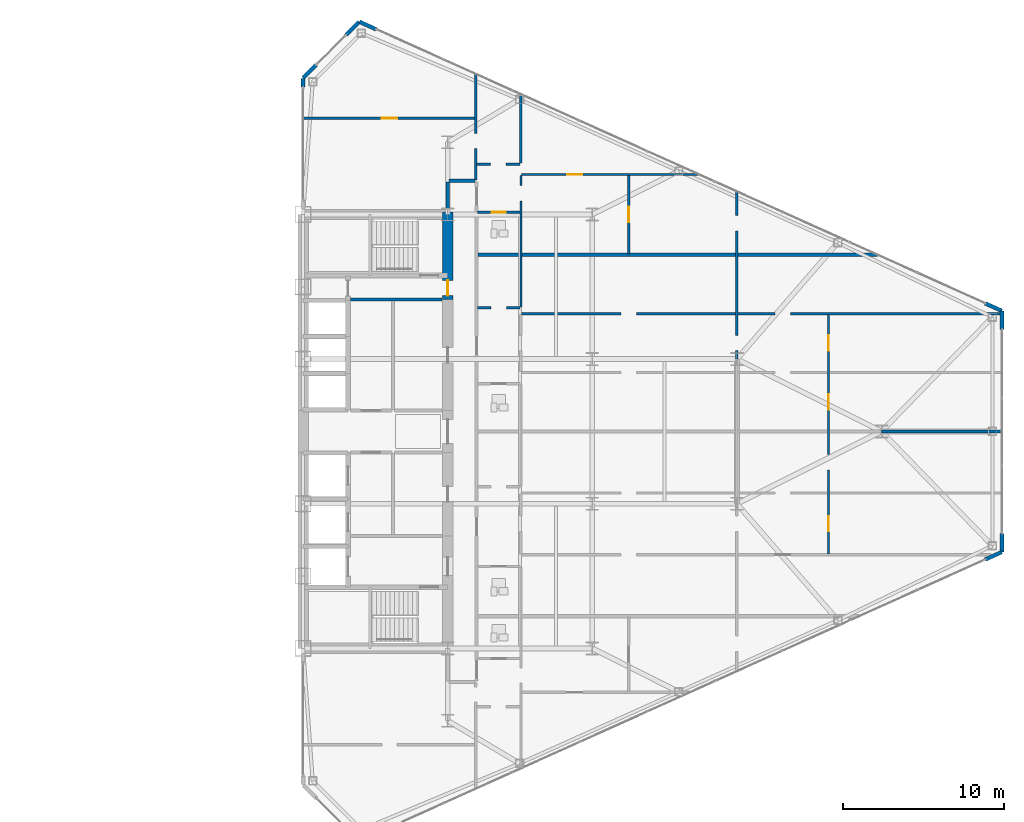
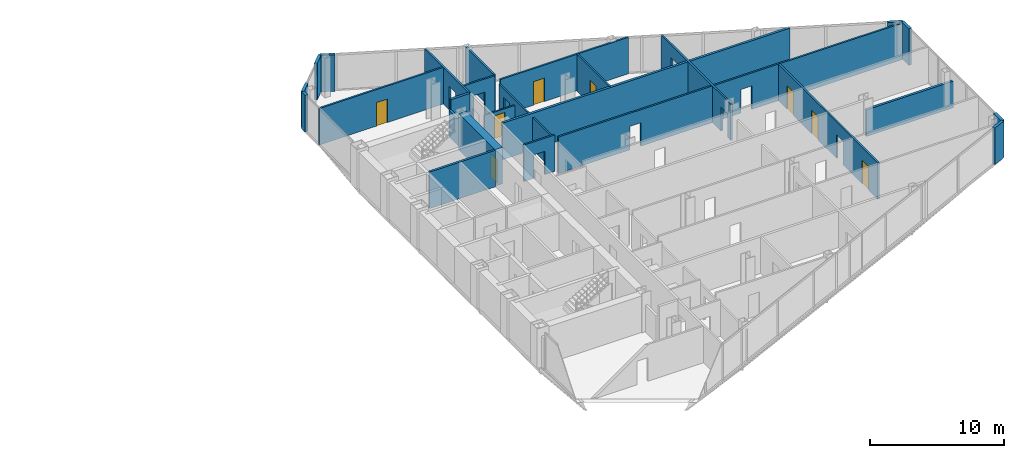
# One storey, part 24 of 27: 26 walls, 8 doors, 17 openings.
"""IFC4 building model written with IfcOpenShell, lengths in metres."""

from ifc_helpers import new_model, si_unit, direction, frame, frame_2d, origin, place, context, subcontext, project, spatial, rectangle, extrude, source, transform, mapped, material, layer, layer_set, type_object, type_shapes, element, fill, save


model = new_model("IFC4")

# Units and contexts
model_context = context("Model", 3, precision=1e-05, world=origin(), true_north=direction((0.0, 1.0)))
body_context = subcontext(model_context, "Body", "Model", "MODEL_VIEW")
ifc_project = project(units=[si_unit("LENGTHUNIT", "METRE"), si_unit("AREAUNIT", "SQUARE_METRE"), si_unit("VOLUMEUNIT", "CUBIC_METRE"), si_unit("PLANEANGLEUNIT", "RADIAN"), si_unit("MASSUNIT", "GRAM", prefix="KILO")], contexts=[model_context])

# Site, building, storey
site_placement = place(None, origin())
site = spatial("IfcSite", under=ifc_project, at=site_placement, CompositionType="ELEMENT")
building_placement = place(site_placement, origin())
building = spatial("IfcBuilding", under=site, at=building_placement, Name="Seokmaru Belvedere", CompositionType="ELEMENT")
storey_placement = place(building_placement, frame((0.0, 0.0, 83.699951171875)))
storey = spatial("IfcBuildingStorey", under=building, at=storey_placement, Name="L22", CompositionType="ELEMENT", Elevation=83.699951171875)

# Wall, openings
ifc_material_1 = material(Name="Fire-Rated Gypsum Shaftwall")
ifc_layer_1 = layer(ifc_material_1, 0.14990234375)
ifc_layer_set_1 = layer_set([ifc_layer_1], Name="Fire-Rated Gypsum Shaftwall")
wall_type_1 = type_object("IfcWallType", Name="Apartment Fire-Acoustic Room Partition 150", PredefinedType="PARTITIONING", material=ifc_layer_set_1)
wall_1_placement = place(storey_placement, frame((41.10009765625, 7.330078125, 0.0), z_axis=(0.0, 0.0, 1.0), x_axis=(1.0, 0.0, 0.0)))
wall_1 = element("IfcWall", 1, at=wall_1_placement, inside=storey, type_object=wall_type_1, Name="L22 Interior Partition 021", PredefinedType="PARTITIONING", context=body_context, shape_type="SweptSolid", body=[
    extrude(rectangle(XDim=29.77490234375, YDim=0.14990234375, at=frame_2d((14.887451171875, 0.0))), origin(), (0.0, 0.0, 1.0), 3.340087890625),
])
opening_1_placement = place(wall_1_placement, frame((6.199951171875, 0.0, 0.0)))
element("IfcOpeningElement", 2, at=opening_1_placement, cuts=wall_1, Name="L22 Cased Opening 052", PredefinedType="OPENING", context=body_context, shape_type="SweptSolid", body=[
    extrude(rectangle(XDim=0.949951171875, YDim=2.14990234375, at=frame_2d((0.47509765625, 1.074951171875))), frame((0.0, 0.0849609375, 0.0), z_axis=(0.0, -1.0, 0.0), x_axis=(1.0, 0.0, 0.0)), (0.0, 0.0, 1.0), 0.169921875),
])
opening_2_placement = place(wall_1_placement, frame((15.77490234375, 0.0, 0.0)))
element("IfcOpeningElement", 3, at=opening_2_placement, cuts=wall_1, Name="L22 Cased Opening 056", PredefinedType="OPENING", context=body_context, shape_type="SweptSolid", body=[
    extrude(rectangle(XDim=0.949951171875, YDim=2.14990234375, at=frame_2d((0.47509765625, 1.074951171875))), frame((0.0, 0.0849609375, 0.0), z_axis=(0.0, -1.0, 0.0), x_axis=(1.0, 0.0, 0.0)), (0.0, 0.0, 1.0), 0.169921875),
])

# Wall, opening
wall_2_placement = place(storey_placement, frame((38.35009765625, 7.699951171875, 0.0), z_axis=(0.0, 0.0, 1.0), x_axis=(1.0, 0.0, 0.0)))
wall_2 = element("IfcWall", 4, at=wall_2_placement, inside=storey, type_object=wall_type_1, Name="L22 Interior Partition 022", PredefinedType="PARTITIONING", context=body_context, shape_type="SweptSolid", body=[
    extrude(rectangle(XDim=2.64990234375, YDim=0.14990234375, at=frame_2d((1.324951171875, 0.0))), origin(), (0.0, 0.0, 1.0), 3.340087890625),
])
opening_3_placement = place(wall_2_placement, frame((0.85009765625, 0.0, 0.0)))
element("IfcOpeningElement", 5, at=opening_3_placement, cuts=wall_2, Name="L22 Cased Opening 048", PredefinedType="OPENING", context=body_context, shape_type="SweptSolid", body=[
    extrude(rectangle(XDim=0.949951171875, YDim=2.14990234375, at=frame_2d((0.47509765625, 1.074951171875))), frame((0.0, 0.0849609375, 0.0), z_axis=(0.0, -1.0, 0.0), x_axis=(1.0, 0.0, 0.0)), (0.0, 0.0, 1.0), 0.169921875),
])

# Wall, opening, door
wall_3_placement = place(storey_placement, frame((41.10009765625, 15.989990234375, 0.0), z_axis=(0.0, 0.0, 1.0), x_axis=(1.0, 0.0, 0.0)))
wall_3 = element("IfcWall", 6, at=wall_3_placement, inside=storey, type_object=wall_type_1, Name="L22 Interior Partition 031", PredefinedType="PARTITIONING", context=body_context, shape_type="SweptSolid", body=[
    extrude(rectangle(XDim=11.07080078125, YDim=0.14990234375, at=frame_2d((5.535400390625, 0.0))), origin(), (0.0, 0.0, 1.0), 3.340087890625),
])
opening_4_placement = place(wall_3_placement, frame((2.83740234375, 0.0, 0.0)))
opening_4 = element("IfcOpeningElement", 7, at=opening_4_placement, cuts=wall_3, Name="Opening D05", PredefinedType="OPENING", context=body_context, shape_type="SweptSolid", body=[
    extrude(rectangle(XDim=0.949951171875, YDim=2.14990234375, at=frame_2d((0.47509765625, 1.074951171875))), frame((0.0, 0.0849609375, 0.0), z_axis=(0.0, -1.0, 0.0), x_axis=(1.0, 0.0, 0.0)), (0.0, 0.0, 1.0), 0.169921875),
])
ifc_material_2 = material(Name="Engineered White Oak Timber", Category="wood")
door_type_1 = type_object("IfcDoorType", Name="Apartment Interior Fire-Rated Oak Door 950x2150", OperationType="NOTDEFINED", PredefinedType="DOOR", material=ifc_material_2)
shared_shape_1 = source(origin(), body_context, "Body", "SweptSolid", [
    extrude(rectangle(XDim=0.949951171875, YDim=2.14990234375, at=frame_2d((0.47509765625, 1.074951171875))), frame((0.0, 0.02490234375, 0.0), z_axis=(0.0, -1.0, 0.0), x_axis=(1.0, 0.0, 0.0)), (0.0, 0.0, 1.0), 0.050048828125),
])
type_shapes(door_type_1, [shared_shape_1])
door_1_placement = place(opening_4_placement, origin())
door_1 = element("IfcDoor", 8, at=door_1_placement, inside=storey, type_object=door_type_1, Name="L22 Interior Door 062", OperationType="SINGLE_SWING_LEFT", OverallHeight=2.14990234375, OverallWidth=0.949951171875, PredefinedType="DOOR", context=body_context, shape_type="MappedRepresentation", body=[
    mapped(shared_shape_1, transform((0.0, 0.0, 0.0), scale=1.0)),
])
fill(opening_4, door_1)

# Wall, opening
wall_4_placement = place(storey_placement, frame((38.300048828125, 16.639892578125, 0.0), z_axis=(0.0, 0.0, 1.0), x_axis=(1.0, 0.0, 0.0)))
wall_4 = element("IfcWall", 9, at=wall_4_placement, inside=storey, type_object=wall_type_1, Name="L22 Interior Partition 033", PredefinedType="PARTITIONING", context=body_context, shape_type="SweptSolid", body=[
    extrude(rectangle(XDim=2.699951171875, YDim=0.14990234375, at=frame_2d((1.35009765625, 0.0))), origin(), (0.0, 0.0, 1.0), 3.340087890625),
])
opening_5_placement = place(wall_4_placement, frame((0.875, 0.0, 0.0)))
element("IfcOpeningElement", 10, at=opening_5_placement, cuts=wall_4, Name="L22 Cased Opening 059", PredefinedType="OPENING", context=body_context, shape_type="SweptSolid", body=[
    extrude(rectangle(XDim=0.949951171875, YDim=2.14990234375, at=frame_2d((0.47509765625, 1.074951171875))), frame((0.0, 0.0849609375, 0.0), z_axis=(0.0, -1.0, 0.0), x_axis=(1.0, 0.0, 0.0)), (0.0, 0.0, 1.0), 0.169921875),
])

# Wall, opening, door
wall_5_placement = place(storey_placement, frame((27.465087890625, 19.5, 0.0), z_axis=(0.0, 0.0, 1.0), x_axis=(1.0, 0.0, 0.0)))
wall_5 = element("IfcWall", 11, at=wall_5_placement, inside=storey, type_object=wall_type_1, Name="L22 Interior Partition 035", PredefinedType="PARTITIONING", context=body_context, shape_type="SweptSolid", body=[
    extrude(rectangle(XDim=10.73486328125, YDim=0.14990234375, at=frame_2d((5.367431640625, 0.0))), origin(), (0.0, 0.0, 1.0), 3.340087890625),
])
opening_6_placement = place(wall_5_placement, frame((4.93505859375, 0.0, 0.0)))
opening_6 = element("IfcOpeningElement", 12, at=opening_6_placement, cuts=wall_5, Name="Opening D05", PredefinedType="OPENING", context=body_context, shape_type="SweptSolid", body=[
    extrude(rectangle(XDim=0.949951171875, YDim=2.14990234375, at=frame_2d((0.47509765625, 1.074951171875))), frame((0.0, 0.0849609375, 0.0), z_axis=(0.0, -1.0, 0.0), x_axis=(1.0, 0.0, 0.0)), (0.0, 0.0, 1.0), 0.169921875),
])
door_2_placement = place(opening_6_placement, origin())
door_2 = element("IfcDoor", 13, at=door_2_placement, inside=storey, type_object=door_type_1, Name="L22 Interior Door 064", OperationType="SINGLE_SWING_LEFT", OverallHeight=2.14990234375, OverallWidth=0.949951171875, PredefinedType="DOOR", context=body_context, shape_type="MappedRepresentation", body=[
    mapped(shared_shape_1, transform((0.0, 0.0, 0.0), scale=1.0)),
])
fill(opening_6, door_2)

# Wall, opening
wall_6_placement = place(storey_placement, frame((38.25, 15.64990234375, 0.0), z_axis=(0.0, 0.0, 1.0), x_axis=(0.0, 1.0, 0.0)))
wall_6 = element("IfcWall", 14, at=wall_6_placement, inside=storey, type_object=wall_type_1, Name="L22 Interior Partition 048", PredefinedType="PARTITIONING", context=body_context, shape_type="SweptSolid", body=[
    extrude(rectangle(XDim=6.623046875, YDim=0.14990234375, at=frame_2d((3.3115234375, 0.0))), origin(), (0.0, 0.0, 1.0), 3.340087890625),
])
opening_7_placement = place(wall_6_placement, frame((1.947509765625, 0.0, 0.0)))
element("IfcOpeningElement", 15, at=opening_7_placement, cuts=wall_6, Name="L22 Cased Opening 063", PredefinedType="OPENING", context=body_context, shape_type="SweptSolid", body=[
    extrude(rectangle(XDim=0.949951171875, YDim=2.14990234375, at=frame_2d((0.47509765625, 1.074951171875))), frame((0.0, 0.0849609375, 0.0), z_axis=(0.0, -1.0, 0.0), x_axis=(1.0, 0.0, 0.0)), (0.0, 0.0, 1.0), 0.169921875),
])

# Wall
wall_7_placement = place(storey_placement, frame((41.050048828125, 16.695068359375, 0.0), z_axis=(0.0, 0.0, 1.0), x_axis=(0.0, 1.0, 0.0)))
element("IfcWall", 16, at=wall_7_placement, inside=storey, type_object=wall_type_1, Name="L22 Interior Partition 055", PredefinedType="PARTITIONING", context=body_context, shape_type="SweptSolid", body=[
    extrude(rectangle(XDim=4.31689453125, YDim=0.14990234375, at=frame_2d((2.158447265625, 0.0))), origin(), (0.0, 0.0, 1.0), 3.340087890625),
])

# Wall, opening, door
wall_8_placement = place(storey_placement, frame((47.77001953125, 11.050048828125, 0.0), z_axis=(0.0, 0.0, 1.0), x_axis=(0.0, 1.0, 0.0)))
wall_8 = element("IfcWall", 17, at=wall_8_placement, inside=storey, type_object=wall_type_1, Name="L22 Interior Partition 057", PredefinedType="PARTITIONING", context=body_context, shape_type="SweptSolid", body=[
    extrude(rectangle(XDim=4.888916015625, YDim=0.14990234375, at=frame_2d((2.4443359375, 0.0))), origin(), (0.0, 0.0, 1.0), 3.340087890625),
])
opening_8_placement = place(wall_8_placement, frame((1.969482421875, 0.0, 0.0)))
opening_8 = element("IfcOpeningElement", 18, at=opening_8_placement, cuts=wall_8, Name="Opening D05", PredefinedType="OPENING", context=body_context, shape_type="SweptSolid", body=[
    extrude(rectangle(XDim=0.949951171875, YDim=2.14990234375, at=frame_2d((0.47509765625, 1.074951171875))), frame((0.0, 0.0849609375, 0.0), z_axis=(0.0, -1.0, 0.0), x_axis=(1.0, 0.0, 0.0)), (0.0, 0.0, 1.0), 0.169921875),
])
door_3_placement = place(opening_8_placement, origin())
door_3 = element("IfcDoor", 19, at=door_3_placement, inside=storey, type_object=door_type_1, Name="L22 Interior Door 061", OperationType="SINGLE_SWING_RIGHT", OverallHeight=2.14990234375, OverallWidth=0.949951171875, PredefinedType="DOOR", context=body_context, shape_type="MappedRepresentation", body=[
    mapped(shared_shape_1, transform((0.0, 0.0, 0.0), scale=1.0)),
])
fill(opening_8, door_3)

# Wall, openings
wall_9_placement = place(storey_placement, frame((54.5, 4.52001953125, 0.0), z_axis=(0.0, 0.0, 1.0), x_axis=(0.0, 1.0, 0.0)))
wall_9 = element("IfcWall", 20, at=wall_9_placement, inside=storey, type_object=wall_type_1, Name="L22 Interior Partition 058 Part 3", PredefinedType="PARTITIONING", context=body_context, shape_type="SweptSolid", body=[
    extrude(rectangle(XDim=10.43994140625, YDim=0.14990234375, at=frame_2d((5.219970703125, 0.0))), origin(), (0.0, 0.0, 1.0), 3.340087890625),
])
opening_9_placement = place(wall_9_placement, frame((0.5048828125, 0.0, 0.0)))
element("IfcOpeningElement", 21, at=opening_9_placement, cuts=wall_9, Name="L22 Cased Opening 050", PredefinedType="OPENING", context=body_context, shape_type="SweptSolid", body=[
    extrude(rectangle(XDim=0.949951171875, YDim=2.14990234375, at=frame_2d((0.47509765625, 1.074951171875))), frame((0.0, 0.0849609375, 0.0), z_axis=(0.0, -1.0, 0.0), x_axis=(1.0, 0.0, 0.0)), (0.0, 0.0, 1.0), 0.169921875),
])
opening_10_placement = place(wall_9_placement, frame((7.967529296875, 0.0, 0.0)))
element("IfcOpeningElement", 22, at=opening_10_placement, cuts=wall_9, Name="L22 Cased Opening 065", PredefinedType="OPENING", context=body_context, shape_type="SweptSolid", body=[
    extrude(rectangle(XDim=0.949951171875, YDim=2.14990234375, at=frame_2d((0.47509765625, 1.074951171875))), frame((0.0, 0.0849609375, 0.0), z_axis=(0.0, -1.0, 0.0), x_axis=(1.0, 0.0, 0.0)), (0.0, 0.0, 1.0), 0.169921875),
])

# Wall, openings, doors
wall_10_placement = place(storey_placement, frame((60.199951171875, -7.616943359375, 0.0), z_axis=(0.0, 0.0, 1.0), x_axis=(0.0, 1.0, 0.0)))
wall_10 = element("IfcWall", 23, at=wall_10_placement, inside=storey, type_object=wall_type_1, Name="L22 Interior Partition 059", PredefinedType="PARTITIONING", context=body_context, shape_type="SweptSolid", body=[
    extrude(rectangle(XDim=14.89990234375, YDim=0.14990234375, at=frame_2d((7.449951171875, 0.0))), origin(), (0.0, 0.0, 1.0), 3.340087890625),
])
opening_11_placement = place(wall_10_placement, frame((1.39208984375, 0.0, 0.0)))
opening_11 = element("IfcOpeningElement", 24, at=opening_11_placement, cuts=wall_10, Name="Opening D05", PredefinedType="OPENING", context=body_context, shape_type="SweptSolid", body=[
    extrude(rectangle(XDim=0.949951171875, YDim=2.14990234375, at=frame_2d((0.47509765625, 1.074951171875))), frame((0.0, 0.0849609375, 0.0), z_axis=(0.0, -1.0, 0.0), x_axis=(1.0, 0.0, 0.0)), (0.0, 0.0, 1.0), 0.169921875),
])
opening_12_placement = place(wall_10_placement, frame((5.225341796875, 0.0, 0.0)))
element("IfcOpeningElement", 25, at=opening_12_placement, cuts=wall_10, Name="L22 Cased Opening 045", PredefinedType="OPENING", context=body_context, shape_type="SweptSolid", body=[
    extrude(rectangle(XDim=0.949951171875, YDim=2.14990234375, at=frame_2d((0.47509765625, 1.074951171875))), frame((0.0, 0.0849609375, 0.0), z_axis=(0.0, -1.0, 0.0), x_axis=(1.0, 0.0, 0.0)), (0.0, 0.0, 1.0), 0.169921875),
])
opening_13_placement = place(wall_10_placement, frame((8.975341796875, 0.0, 0.0)))
opening_13 = element("IfcOpeningElement", 26, at=opening_13_placement, cuts=wall_10, Name="Opening D05", PredefinedType="OPENING", context=body_context, shape_type="SweptSolid", body=[
    extrude(rectangle(XDim=0.949951171875, YDim=2.14990234375, at=frame_2d((0.47509765625, 1.074951171875))), frame((0.0, 0.0849609375, 0.0), z_axis=(0.0, -1.0, 0.0), x_axis=(1.0, 0.0, 0.0)), (0.0, 0.0, 1.0), 0.169921875),
])
opening_14_placement = place(wall_10_placement, frame((12.64208984375, 0.0, 0.0)))
opening_14 = element("IfcOpeningElement", 27, at=opening_14_placement, cuts=wall_10, Name="Opening D05", PredefinedType="OPENING", context=body_context, shape_type="SweptSolid", body=[
    extrude(rectangle(XDim=0.949951171875, YDim=2.14990234375, at=frame_2d((0.47509765625, 1.074951171875))), frame((0.0, 0.0849609375, 0.0), z_axis=(0.0, -1.0, 0.0), x_axis=(1.0, 0.0, 0.0)), (0.0, 0.0, 1.0), 0.169921875),
])
door_4_placement = place(opening_11_placement, origin())
door_4 = element("IfcDoor", 28, at=door_4_placement, inside=storey, type_object=door_type_1, Name="L22 Interior Door 043", OperationType="SINGLE_SWING_LEFT", OverallHeight=2.14990234375, OverallWidth=0.949951171875, PredefinedType="DOOR", context=body_context, shape_type="MappedRepresentation", body=[
    mapped(shared_shape_1, transform((0.0, 0.0, 0.0), scale=1.0)),
])
fill(opening_11, door_4)
door_5_placement = place(opening_13_placement, origin())
door_5 = element("IfcDoor", 29, at=door_5_placement, inside=storey, type_object=door_type_1, Name="L22 Interior Door 054", OperationType="SINGLE_SWING_LEFT", OverallHeight=2.14990234375, OverallWidth=0.949951171875, PredefinedType="DOOR", context=body_context, shape_type="MappedRepresentation", body=[
    mapped(shared_shape_1, transform((0.0, 0.0, 0.0), scale=1.0)),
])
fill(opening_13, door_5)
door_6_placement = place(opening_14_placement, origin())
door_6 = element("IfcDoor", 30, at=door_6_placement, inside=storey, type_object=door_type_1, Name="L22 Interior Door 055", OperationType="SINGLE_SWING_LEFT", OverallHeight=2.14990234375, OverallWidth=0.949951171875, PredefinedType="DOOR", context=body_context, shape_type="MappedRepresentation", body=[
    mapped(shared_shape_1, transform((0.0, 0.0, 0.0), scale=1.0)),
])
fill(opening_14, door_6)

# Walls
ifc_layer_2 = layer(ifc_material_1, 0.179931640625)
ifc_layer_set_2 = layer_set([ifc_layer_2], Name="Fire-Rated Gypsum Shaftwall")
wall_type_2 = type_object("IfcWallType", Name="Core Service Fire Partition 180", PredefinedType="PARTITIONING", material=ifc_layer_set_2)
wall_11_placement = place(storey_placement, frame((30.449951171875, 8.199951171875, 0.0), z_axis=(0.0, 0.0, 1.0), x_axis=(1.0, 0.0, 0.0)))
element("IfcWall", 31, at=wall_11_placement, inside=storey, type_object=wall_type_2, Name="L22 East Smokeproof Vestibule Partition", PredefinedType="PARTITIONING", context=body_context, shape_type="SweptSolid", body=[
    extrude(rectangle(XDim=5.699951171875, YDim=0.179931640625, at=frame_2d((2.85009765625, 0.0))), origin(), (0.0, 0.0, 1.0), 3.340087890625),
])
ifc_layer_3 = layer(ifc_material_1, 0.199951171875)
ifc_layer_set_3 = layer_set([ifc_layer_3], Name="Fire-Rated Gypsum Shaftwall")
wall_type_3 = type_object("IfcWallType", Name="Inter-Tenancy Fire Compartment Partition 200", PredefinedType="PARTITIONING", material=ifc_layer_set_3)
wall_12_placement = place(storey_placement, frame((63.47998046875, 0.0, 0.0), z_axis=(0.0, 0.0, 1.0), x_axis=(1.0, 0.0, 0.0)))
element("IfcWall", 32, at=wall_12_placement, inside=storey, type_object=wall_type_3, Name="L22 Interior Partition 016 Part 2", PredefinedType="PARTITIONING", context=body_context, shape_type="SweptSolid", body=[
    extrude(rectangle(XDim=7.52490234375, YDim=0.199951171875, at=frame_2d((3.762451171875, 0.0))), origin(), (0.0, 0.0, 1.0), 2.43994140625),
])
wall_13_placement = place(storey_placement, frame((38.3798828125, 11.0, 0.0), z_axis=(0.0, 0.0, 1.0), x_axis=(1.0, 0.0, 0.0)))
element("IfcWall", 33, at=wall_13_placement, inside=storey, type_object=wall_type_3, Name="L22 Interior Partition 025", PredefinedType="PARTITIONING", context=body_context, shape_type="SweptSolid", body=[
    extrude(rectangle(XDim=24.85400390625, YDim=0.199951171875, at=frame_2d((12.427001953125, 0.0))), origin(), (0.0, 0.0, 1.0), 3.340087890625),
])
wall_14_placement = place(storey_placement, frame((36.5849609375, 15.60009765625, 0.0), z_axis=(0.0, 0.0, 1.0), x_axis=(1.0, 0.0, 0.0)))
element("IfcWall", 34, at=wall_14_placement, inside=storey, type_object=wall_type_3, Name="L22 Interior Partition 030", PredefinedType="PARTITIONING", context=body_context, shape_type="SweptSolid", body=[
    extrude(rectangle(XDim=1.630126953125, YDim=0.199951171875, at=frame_2d((0.81494140625, 0.0))), origin(), (0.0, 0.0, 1.0), 3.340087890625),
])
wall_15_placement = place(storey_placement, frame((36.5, 13.830078125, 0.0), z_axis=(0.0, 0.0, 1.0), x_axis=(0.0, 1.0, 0.0)))
element("IfcWall", 35, at=wall_15_placement, inside=storey, type_object=wall_type_3, Name="L22 Interior Partition 046", PredefinedType="PARTITIONING", context=body_context, shape_type="SweptSolid", body=[
    extrude(rectangle(XDim=1.684814453125, YDim=0.199951171875, at=frame_2d((0.84228515625, 0.0))), origin(), (0.0, 0.0, 1.0), 2.43994140625),
])

# Wall, opening, door
ifc_material_3 = material(Name="Concrete C60 (60 MPa)", Category="concrete")
ifc_layer_4 = layer(ifc_material_3, 0.64990234375)
ifc_layer_set_4 = layer_set([ifc_layer_4], Name="Concrete C60 (60 MPa)")
wall_type_4 = type_object("IfcWallType", Name="Mid-Low Reinforced Concrete Core Wall 650", PredefinedType="SHEAR", material=ifc_layer_set_4)
wall_16_placement = place(storey_placement, frame((36.5, 8.199951171875, 0.0), z_axis=(0.0, 0.0, 1.0), x_axis=(0.0, 1.0, 0.0)))
wall_16 = element("IfcWall", 36, at=wall_16_placement, inside=storey, type_object=wall_type_4, Name="L22 East West Core Wall VST", PredefinedType="SHEAR", context=body_context, shape_type="SweptSolid", body=[
    extrude(rectangle(XDim=5.449951171875, YDim=0.64990234375, at=frame_2d((2.72509765625, 0.0))), origin(), (0.0, 0.0, 1.0), 3.340087890625),
])
opening_15_placement = place(wall_16_placement, frame((0.2451171875, 0.0, 0.0)))
opening_15 = element("IfcOpeningElement", 37, at=opening_15_placement, cuts=wall_16, Name="Opening D04", PredefinedType="OPENING", context=body_context, shape_type="SweptSolid", body=[
    extrude(rectangle(XDim=0.949951171875, YDim=2.14990234375, at=frame_2d((0.47509765625, 1.074951171875))), frame((0.0, 0.3349609375, 0.0), z_axis=(0.0, -1.0, 0.0), x_axis=(1.0, 0.0, 0.0)), (0.0, 0.0, 1.0), 0.669921875),
])
ifc_material_4 = material(Name="Fire-Rated Steel Leaf", Category="steel")
door_type_2 = type_object("IfcDoorType", Name="Core Service Room Fire Door 950x2150", OperationType="NOTDEFINED", PredefinedType="DOOR", material=ifc_material_4)
shared_shape_2 = source(origin(), body_context, "Body", "SweptSolid", [
    extrude(rectangle(XDim=0.949951171875, YDim=2.14990234375, at=frame_2d((0.47509765625, 1.074951171875))), frame((0.0, 0.02490234375, 0.0), z_axis=(0.0, -1.0, 0.0), x_axis=(1.0, 0.0, 0.0)), (0.0, 0.0, 1.0), 0.050048828125),
])
type_shapes(door_type_2, [shared_shape_2])
door_7_placement = place(opening_15_placement, origin())
door_7 = element("IfcDoor", 38, at=door_7_placement, inside=storey, type_object=door_type_2, Name="L22 East Smokeproof Vestibule Door", OperationType="SINGLE_SWING_LEFT", OverallHeight=2.14990234375, OverallWidth=0.949951171875, PredefinedType="DOOR", context=body_context, shape_type="MappedRepresentation", body=[
    mapped(shared_shape_2, transform((0.0, 0.0, 0.0), scale=1.0)),
])
fill(opening_15, door_7)

ifc_layer_5 = layer(ifc_material_1, 0.1298828125)
ifc_layer_set_5 = layer_set([ifc_layer_5], Name="Fire-Rated Gypsum Shaftwall")
wall_type_5 = type_object("IfcWallType", Name="Moisture-Resistant Fire-Rated Bathroom Partition 130", PredefinedType="PARTITIONING", material=ifc_layer_set_5)
wall_17_placement = place(storey_placement, frame((38.35009765625, 13.639892578125, 0.0), z_axis=(0.0, 0.0, 1.0), x_axis=(1.0, 0.0, 0.0)))
wall_17 = element("IfcWall", 39, at=wall_17_placement, inside=storey, type_object=wall_type_5, Name="L22 Interior Partition 027", PredefinedType="PARTITIONING", context=body_context, shape_type="SweptSolid", body=[
    extrude(rectangle(XDim=2.64990234375, YDim=0.1298828125, at=frame_2d((1.324951171875, 0.0))), origin(), (0.0, 0.0, 1.0), 2.43994140625),
])
opening_16_placement = place(wall_17_placement, frame((0.885009765625, 0.0, 0.0)))
opening_16 = element("IfcOpeningElement", 40, at=opening_16_placement, cuts=wall_17, Name="Opening D06", PredefinedType="OPENING", context=body_context, shape_type="SweptSolid", body=[
    extrude(rectangle(XDim=0.8798828125, YDim=2.10009765625, at=frame_2d((0.43994140625, 1.050048828125))), frame((0.0, 0.074951171875, 0.0), z_axis=(0.0, -1.0, 0.0), x_axis=(1.0, 0.0, 0.0)), (0.0, 0.0, 1.0), 0.14990234375),
])
door_type_3 = type_object("IfcDoorType", Name="Bathroom and Restroom Fire-Rated Door 880x2100", OperationType="NOTDEFINED", PredefinedType="DOOR", material=ifc_material_2)
shared_shape_3 = source(origin(), body_context, "Body", "SweptSolid", [
    extrude(rectangle(XDim=0.8798828125, YDim=2.10009765625, at=frame_2d((0.43994140625, 1.050048828125))), frame((0.0, 0.02490234375, 0.0), z_axis=(0.0, -1.0, 0.0), x_axis=(1.0, 0.0, 0.0)), (0.0, 0.0, 1.0), 0.050048828125),
])
type_shapes(door_type_3, [shared_shape_3])
door_8_placement = place(opening_16_placement, origin())
door_8 = element("IfcDoor", 41, at=door_8_placement, inside=storey, type_object=door_type_3, Name="L22 Interior Door 058", OperationType="SINGLE_SWING_RIGHT", OverallHeight=2.10009765625, OverallWidth=0.8798828125, PredefinedType="DOOR", context=body_context, shape_type="MappedRepresentation", body=[
    mapped(shared_shape_3, transform((0.0, 0.0, 0.0), scale=1.0)),
])
fill(opening_16, door_8)

# Wall, opening
wall_18_placement = place(storey_placement, frame((41.050048828125, 7.751953125, 0.0), z_axis=(0.0, 0.0, 1.0), x_axis=(0.0, 1.0, 0.0)))
wall_18 = element("IfcWall", 42, at=wall_18_placement, inside=storey, type_object=wall_type_5, Name="L22 Interior Partition 054", PredefinedType="PARTITIONING", context=body_context, shape_type="SweptSolid", body=[
    extrude(rectangle(XDim=8.18701171875, YDim=0.1298828125, at=frame_2d((4.093505859375, 0.0))), origin(), (0.0, 0.0, 1.0), 2.93994140625),
])
opening_17_placement = place(wall_18_placement, frame((6.58984375, 0.0, 0.0)))
element("IfcOpeningElement", 43, at=opening_17_placement, cuts=wall_18, Name="L22 Cased Opening 060", PredefinedType="OPENING", context=body_context, shape_type="SweptSolid", body=[
    extrude(rectangle(XDim=0.949951171875, YDim=2.14990234375, at=frame_2d((0.47509765625, 1.074951171875))), frame((0.0, 0.074951171875, 0.0), z_axis=(0.0, -1.0, 0.0), x_axis=(1.0, 0.0, 0.0)), (0.0, 0.0, 1.0), 0.14990234375),
])

# Walls
ifc_material_5 = material(Name="Anodised Bronze Aluminium", Category="aluminium")
ifc_layer_6 = layer(ifc_material_5, 0.239990234375)
ifc_layer_set_6 = layer_set([ifc_layer_6], Name="Anodised Bronze Aluminium")
wall_type_6 = type_object("IfcWallType", Name="Tower Corner Spandrel Closure Wall 240", PredefinedType="SOLIDWALL", material=ifc_layer_set_6)
for number, where, z_axis, x_axis, name in (
    (44, (69.951416015625, -7.971923828125, 0.0), (0.0, 0.0, 1.0), (0.911929519623, 0.410346866979, 0.0), "L22 E Corner Closure Pier 1B"),
    (45, (71.0, -7.489990234375, 0.0), (0.0, 0.0, 1.0), (0.0, 1.0, 0.0), "L22 E Corner Closure Pier 2A"),
    (46, (71.0, 6.35009765625, 0.0), (0.0, 0.0, 1.0), (0.0, 1.0, 0.0), "L22 E Corner Closure Pier 2B"),
    (47, (70.990966796875, 7.504150390625, 0.0), (0.0, 0.0, 1.0), (-0.911929519623, 0.410346866979, 0.0), "L22 E Corner Closure Pier 3A"),
    (48, (32.048583984375, 25.028076171875, 0.0), (0.0, 0.0, 1.0), (-0.911929519623, 0.410346866979, 0.0), "L22 E Corner Closure Pier 3B"),
):
    element("IfcWall", number, at=place(storey_placement, frame(where, z_axis=z_axis, x_axis=x_axis)), inside=storey, type_object=wall_type_6, Name=name, PredefinedType="SOLIDWALL", context=body_context, shape_type="SweptSolid", body=[
        extrude(rectangle(XDim=1.139892578125, YDim=0.239990234375, at=frame_2d((0.56982421875, 0.0))), origin(), (0.0, 0.0, 1.0), 3.340087890625),
    ])
for number, where, z_axis, x_axis, name in (
    (49, (30.992919921875, 25.492919921875, 0.0), (0.0, 0.0, 1.0), (-0.707106781187, -0.707106781187, 0.0), "L22 E Corner Closure Pier 4A"),
    (50, (28.313232421875, 22.813232421875, 0.0), (0.0, 0.0, 1.0), (-0.707106781187, -0.707106781187, 0.0), "L22 E Corner Closure Pier 4B"),
):
    element("IfcWall", number, at=place(storey_placement, frame(where, z_axis=z_axis, x_axis=x_axis)), inside=storey, type_object=wall_type_6, Name=name, PredefinedType="SOLIDWALL", context=body_context, shape_type="SweptSolid", body=[
        extrude(rectangle(XDim=1.14013671875, YDim=0.239990234375, at=frame_2d((0.570068359375, 0.0))), origin(), (0.0, 0.0, 1.0), 3.340087890625),
    ])
wall_19_placement = place(storey_placement, frame((27.5, 21.429931640625, 0.0), z_axis=(0.0, 0.0, 1.0), x_axis=(0.0, 1.0, 0.0)))
element("IfcWall", 51, at=wall_19_placement, inside=storey, type_object=wall_type_6, Name="L22 E Spine Closure Pier 2B", PredefinedType="SOLIDWALL", context=body_context, shape_type="SweptSolid", body=[
    extrude(rectangle(XDim=0.550048828125, YDim=0.239990234375, at=frame_2d((0.27490234375, 0.0))), origin(), (0.0, 0.0, 1.0), 3.340087890625),
])

save(model, "model.ifc")
